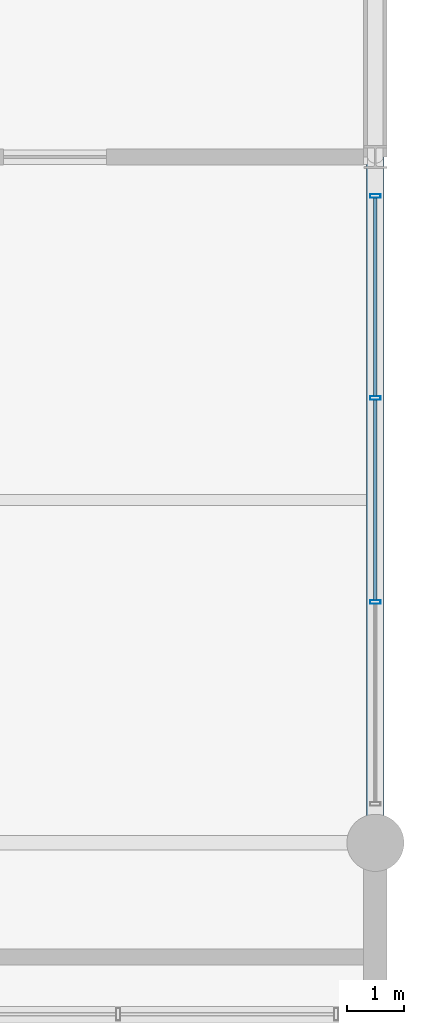
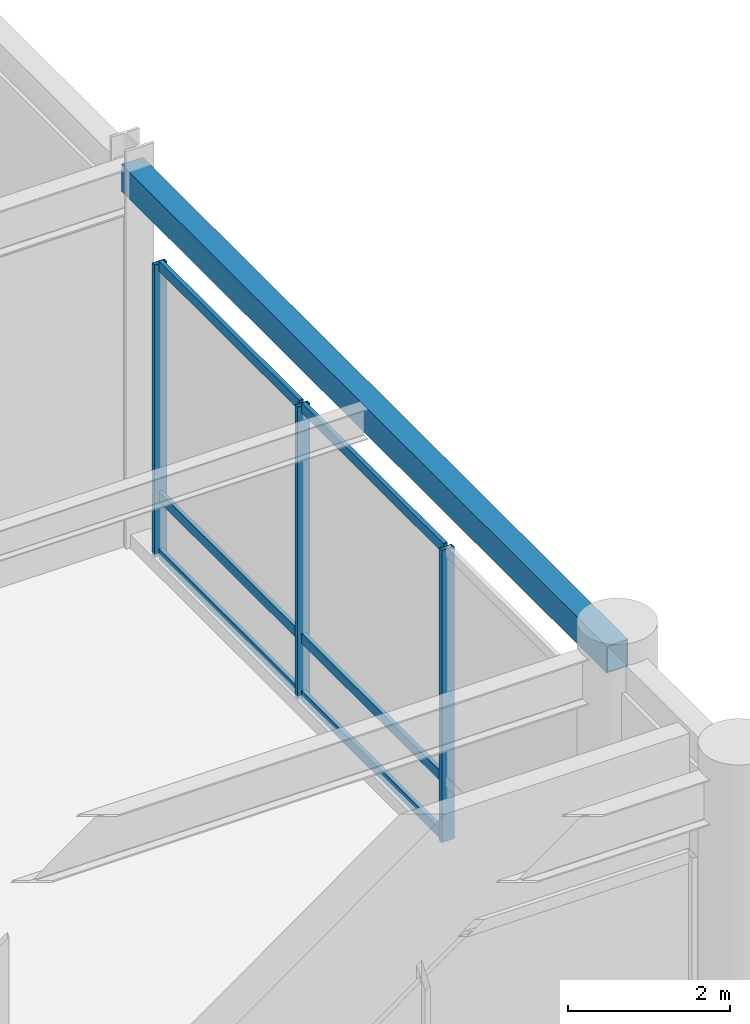
# One storey, part 62 of 105: 9 members, 1 beam, 1 element without a shape of its own.
"""IFC4 building model written with IfcOpenShell, lengths in metres."""

from ifc_helpers import new_model, si_unit, direction, frame, origin, origin_2d, place, context, subcontext, project, spatial, hollow_rectangle, extrude, material, material_profile, profile_set, type_object, element, aggregate, save


model = new_model("IFC4")

# Units and contexts
model_context = context("Model", 3, precision=1e-05, world=origin(), true_north=direction((0.0, 1.0)))
body_context = subcontext(model_context, "Body", "Model", "MODEL_VIEW")
ifc_project = project(units=[si_unit("LENGTHUNIT", "METRE"), si_unit("AREAUNIT", "SQUARE_METRE"), si_unit("VOLUMEUNIT", "CUBIC_METRE"), si_unit("PLANEANGLEUNIT", "RADIAN"), si_unit("MASSUNIT", "GRAM", prefix="KILO")], contexts=[model_context])

# Site, building, storey
site_placement = place(None, origin())
site = spatial("IfcSite", under=ifc_project, at=site_placement, CompositionType="ELEMENT")
building_placement = place(site_placement, origin())
building = spatial("IfcBuilding", under=site, at=building_placement, Name="Kaldorvane Square Convention Centre", CompositionType="ELEMENT")
storey_placement = place(building_placement, frame((0.0, 0.0, 6.0)))
storey = spatial("IfcBuildingStorey", under=building, at=storey_placement, Name="L01", CompositionType="ELEMENT", Elevation=6.0)

# Beam
ifc_material_1 = material(Name="Steel ASTM A500 Gr. C", Category="steel")
ifc_material_profile_1 = material_profile(ifc_material_1, hollow_rectangle(XDim=0.3047943115234375, YDim=0.406402587890625, WallThickness=0.0117950439453125, at=origin_2d()), Name="HSS16X12X1/2")
ifc_profile_set_1 = profile_set([ifc_material_profile_1], Name="Steel ASTM A500 Gr. C")
beam_type = type_object("IfcBeamType", Name="BM-SP-HSS16", PredefinedType="SPANDREL", material=ifc_profile_set_1)
beam_placement = place(storey_placement, frame((174.0, 84.0, 5.4727935791015625), z_axis=(0.0, 1.0, 0.0), x_axis=(-1.0, 0.0, 0.0)))
element("IfcBeam", 1, at=beam_placement, inside=storey, type_object=beam_type, Name="End Spandrel (L01)", PredefinedType="SPANDREL", context=body_context, shape_type="SweptSolid", body=[
    extrude(hollow_rectangle(XDim=0.3047943115234375, YDim=0.406402587890625, WallThickness=0.0117950439453125, at=origin_2d()), origin(), (0.0, 0.0, 1.0), 12.0),
])

# Curtain wall, members
ifc_material_2 = material(Name="Anodized Aluminum and Low-E Insulated Glazing", Category="aluminium")
curtain_wall_type = type_object("IfcCurtainWallType", Name="CW-UNI-P60-09", PredefinedType="USERDEFINED", material=ifc_material_2)
curtain_wall_placement = place(storey_placement, origin())
curtain_wall = element("IfcCurtainWall", 2, at=curtain_wall_placement, inside=storey, type_object=curtain_wall_type, Name="Curtain Wall CW-02 (L01)", ObjectType="UNITISED GLAZING", PredefinedType="USERDEFINED")
ifc_material_profile_2 = material_profile(ifc_material_2, hollow_rectangle(XDim=0.06500244140625, YDim=0.17999267578125, WallThickness=0.0034942626953125, at=origin_2d()), Name="CWM-180X65")
ifc_profile_set_2 = profile_set([ifc_material_profile_2], Name="Anodized Aluminum and Low-E Insulated Glazing")
member_type_1 = type_object("IfcMemberType", Name="CW-MUL-180", PredefinedType="MULLION", material=ifc_profile_set_2)
member_1_placement = place(storey_placement, frame((174.0, 88.21665954589844, 0.149993896484375), z_axis=(0.0, 0.0, 1.0), x_axis=(0.0, 1.0, 0.0)))
member_1 = element("IfcMember", 3, at=member_1_placement, type_object=member_type_1, Name="CW-02 mullion 2", PredefinedType="MULLION", context=body_context, shape_type="SweptSolid", body=[
    extrude(hollow_rectangle(XDim=0.06500244140625, YDim=0.17999267578125, WallThickness=0.0034942626953125, at=origin_2d()), origin(), (0.0, 0.0, 1.0), 4.410003662109375),
])
member_2_placement = place(storey_placement, frame((174.0, 91.78334045410156, 0.149993896484375), z_axis=(0.0, 0.0, 1.0), x_axis=(0.0, 1.0, 0.0)))
member_2 = element("IfcMember", 4, at=member_2_placement, type_object=member_type_1, Name="CW-02 mullion 3", PredefinedType="MULLION", context=body_context, shape_type="SweptSolid", body=[
    extrude(hollow_rectangle(XDim=0.06500244140625, YDim=0.17999267578125, WallThickness=0.0034942626953125, at=origin_2d()), origin(), (0.0, 0.0, 1.0), 4.410003662109375),
])
member_3_placement = place(storey_placement, frame((174.0, 95.3175048828125, 0.149993896484375), z_axis=(0.0, 0.0, 1.0), x_axis=(0.0, 1.0, 0.0)))
member_3 = element("IfcMember", 5, at=member_3_placement, type_object=member_type_1, Name="CW-02 mullion 4", PredefinedType="MULLION", context=body_context, shape_type="SweptSolid", body=[
    extrude(hollow_rectangle(XDim=0.06500244140625, YDim=0.17999267578125, WallThickness=0.0034942626953125, at=origin_2d()), origin(), (0.0, 0.0, 1.0), 4.410003662109375),
])
ifc_material_profile_3 = material_profile(ifc_material_2, hollow_rectangle(XDim=0.05999755859375, YDim=0.149993896484375, WallThickness=0.003204345703125, at=origin_2d()), Name="CWT-150X60")
ifc_profile_set_3 = profile_set([ifc_material_profile_3], Name="Anodized Aluminum and Low-E Insulated Glazing")
member_type_2 = type_object("IfcMemberType", Name="CW-TRN-150", PredefinedType="USERDEFINED", material=ifc_profile_set_3)
member_4_placement = place(storey_placement, frame((174.0, 88.24916076660156, 0.17999267578125), z_axis=(0.0, 1.0, 0.0), x_axis=(-1.0, 0.0, 0.0)))
member_4 = element("IfcMember", 6, at=member_4_placement, type_object=member_type_2, Name="CW-02 transom 2.1", ObjectType="TRANSOM", PredefinedType="USERDEFINED", context=body_context, shape_type="SweptSolid", body=[
    extrude(hollow_rectangle(XDim=0.05999755859375, YDim=0.149993896484375, WallThickness=0.003204345703125, at=origin_2d()), origin(), (0.0, 0.0, 1.0), 3.501678466796875),
])
member_5_placement = place(storey_placement, frame((174.0, 88.24916076660156, 1.0500030517578125), z_axis=(0.0, 1.0, 0.0), x_axis=(-1.0, 0.0, 0.0)))
member_5 = element("IfcMember", 7, at=member_5_placement, type_object=member_type_2, Name="CW-02 transom 2.2", ObjectType="TRANSOM", PredefinedType="USERDEFINED", context=body_context, shape_type="SweptSolid", body=[
    extrude(hollow_rectangle(XDim=0.05999755859375, YDim=0.149993896484375, WallThickness=0.003204345703125, at=origin_2d()), origin(), (0.0, 0.0, 1.0), 3.501678466796875),
])
member_6_placement = place(storey_placement, frame((174.0, 88.24916076660156, 4.529998779296875), z_axis=(0.0, 1.0, 0.0), x_axis=(-1.0, 0.0, 0.0)))
member_6 = element("IfcMember", 8, at=member_6_placement, type_object=member_type_2, Name="CW-02 transom 2.3", ObjectType="TRANSOM", PredefinedType="USERDEFINED", context=body_context, shape_type="SweptSolid", body=[
    extrude(hollow_rectangle(XDim=0.05999755859375, YDim=0.149993896484375, WallThickness=0.003204345703125, at=origin_2d()), origin(), (0.0, 0.0, 1.0), 3.501678466796875),
])
member_7_placement = place(storey_placement, frame((174.0, 91.81582641601562, 0.17999267578125), z_axis=(0.0, 1.0, 0.0), x_axis=(-1.0, 0.0, 0.0)))
member_7 = element("IfcMember", 9, at=member_7_placement, type_object=member_type_2, Name="CW-02 transom 3.1", ObjectType="TRANSOM", PredefinedType="USERDEFINED", context=body_context, shape_type="SweptSolid", body=[
    extrude(hollow_rectangle(XDim=0.05999755859375, YDim=0.149993896484375, WallThickness=0.003204345703125, at=origin_2d()), origin(), (0.0, 0.0, 1.0), 3.46917724609375),
])
member_8_placement = place(storey_placement, frame((174.0, 91.81582641601562, 1.0500030517578125), z_axis=(0.0, 1.0, 0.0), x_axis=(-1.0, 0.0, 0.0)))
member_8 = element("IfcMember", 10, at=member_8_placement, type_object=member_type_2, Name="CW-02 transom 3.2", ObjectType="TRANSOM", PredefinedType="USERDEFINED", context=body_context, shape_type="SweptSolid", body=[
    extrude(hollow_rectangle(XDim=0.05999755859375, YDim=0.149993896484375, WallThickness=0.003204345703125, at=origin_2d()), origin(), (0.0, 0.0, 1.0), 3.46917724609375),
])
member_9_placement = place(storey_placement, frame((174.0, 91.81582641601562, 4.529998779296875), z_axis=(0.0, 1.0, 0.0), x_axis=(-1.0, 0.0, 0.0)))
member_9 = element("IfcMember", 11, at=member_9_placement, type_object=member_type_2, Name="CW-02 transom 3.3", ObjectType="TRANSOM", PredefinedType="USERDEFINED", context=body_context, shape_type="SweptSolid", body=[
    extrude(hollow_rectangle(XDim=0.05999755859375, YDim=0.149993896484375, WallThickness=0.003204345703125, at=origin_2d()), origin(), (0.0, 0.0, 1.0), 3.46917724609375),
])
aggregate(curtain_wall, [member_1, member_2, member_3, member_4, member_5, member_6, member_7, member_8, member_9])

save(model, "model.ifc")
